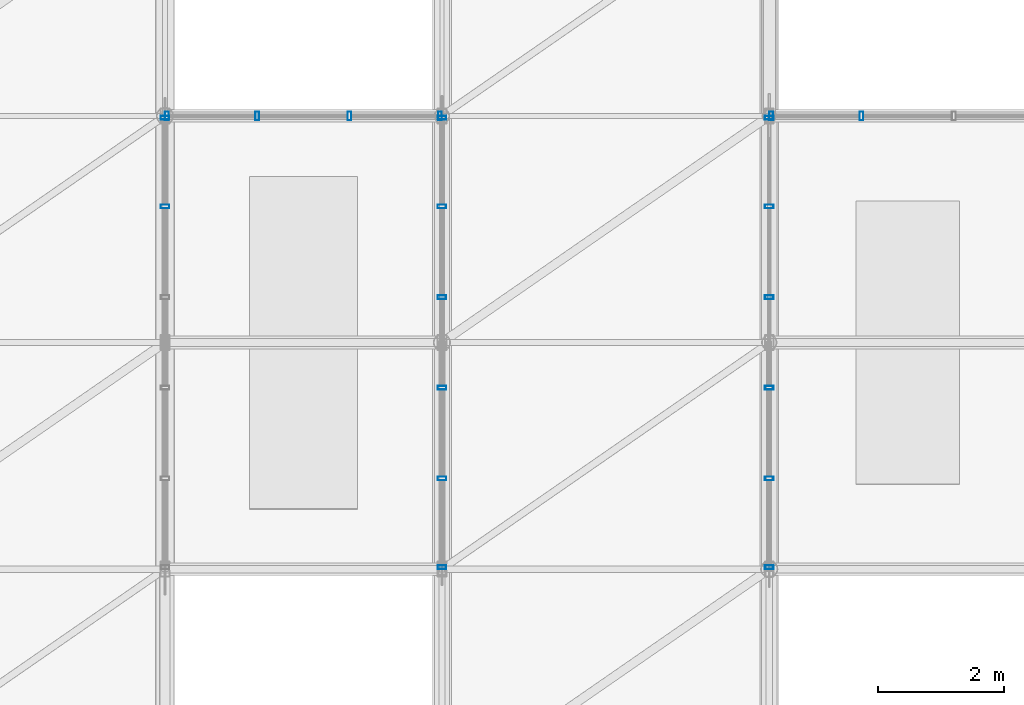
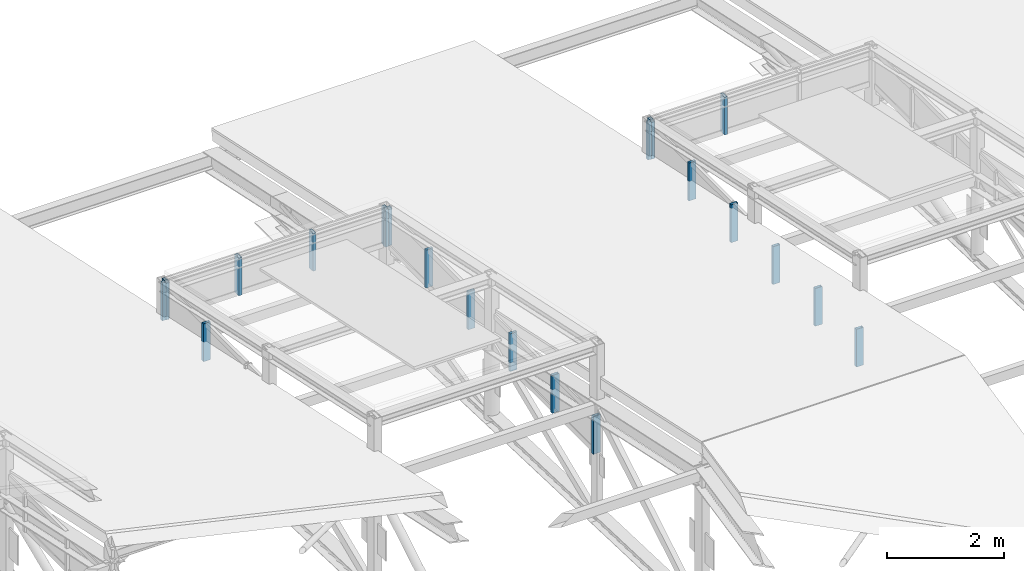
# One storey, part 74 of 124: 20 members, 5 elements without a shape of their own.
"""IFC4 building model written with IfcOpenShell, lengths in metres."""

import ifcopenshell
import ifcopenshell.guid

model = None  # the IFC model being written
_history = None  # IfcOwnerHistory: only IFC2X3 demands one
_inside = {}  # id of a spatial element -> (the spatial element, [elements in it])
_under = {}  # id of a project, library or spatial element -> (it, [spatial elements below it])
_declared = {}  # id of a project -> (the project, [libraries it declares])
_typed = {}  # id of a type object -> (the type object, [elements of that type])
_made_of = {}  # id of a material, layer set ... -> (it, [elements and type objects made of it])


def new_model(schema):
    """Start an empty IFC model of exactly this schema.

    Asked for "IFC4X3", IfcOpenShell would pick the latest addendum, in which some entities
    have other attributes; the version numbers below select the first issue.
    IFC2X3 requires an IfcOwnerHistory on every rooted entity: one is made here for all.
    """
    global model, _history
    if schema == "IFC4X3":
        model = ifcopenshell.file(schema_version=(4, 3, 0, 0))
    else:
        model = ifcopenshell.file(schema=schema)
    _inside.clear()
    _under.clear()
    _declared.clear()
    _typed.clear()
    _made_of.clear()
    _history = None
    if model.schema == "IFC2X3":
        org = make("IfcOrganization", Name="unknown")
        user = make(
            "IfcPersonAndOrganization",
            ThePerson=make("IfcPerson", FamilyName="unknown"),
            TheOrganization=org,
        )
        app = make(
            "IfcApplication",
            ApplicationDeveloper=org,
            Version="unknown",
            ApplicationFullName="unknown",
            ApplicationIdentifier="unknown",
        )
        _history = make(
            "IfcOwnerHistory",
            OwningUser=user,
            OwningApplication=app,
            ChangeAction="ADDED",
            CreationDate=0,
        )
    return model


def make(cls, **values):
    """One entity of the class cls with the attributes given. An attribute that is None is left unset."""
    return model.create_entity(
        cls, **{name: value for name, value in values.items() if value is not None}
    )


def rooted(cls, **values):
    """An entity with a GlobalId (a new one), such as an element, a storey or a relation."""
    return make(cls, GlobalId=ifcopenshell.guid.new(), OwnerHistory=_history, **values)


def si_unit(unit_type, name, prefix=None):
    """IfcSIUnit, for example si_unit("LENGTHUNIT", "METRE", prefix="MILLI")."""
    return make("IfcSIUnit", UnitType=unit_type, Prefix=prefix, Name=name)


def assignment(units):
    """IfcUnitAssignment: the units of a project."""
    return None if units is None else make("IfcUnitAssignment", Units=units)


def point(xyz):
    """IfcCartesianPoint."""
    return None if xyz is None else make("IfcCartesianPoint", Coordinates=xyz)


def direction(xyz):
    """IfcDirection."""
    return None if xyz is None else make("IfcDirection", DirectionRatios=xyz)


def frame(location, z_axis=None, x_axis=None):
    """IfcAxis2Placement3D, a coordinate frame: its origin and axes. An axis left out is left unset."""
    return make(
        "IfcAxis2Placement3D",
        Location=point(location),
        Axis=direction(z_axis),
        RefDirection=direction(x_axis),
    )


def frame_2d(location, x_axis=None):
    """IfcAxis2Placement2D, a coordinate frame in the plane: its origin and x axis."""
    return make(
        "IfcAxis2Placement2D", Location=point(location), RefDirection=direction(x_axis)
    )


def origin():
    """The frame at (0, 0, 0) with its axes left unset."""
    return frame((0.0, 0.0, 0.0))


def origin_2d():
    """The frame at (0, 0) in the plane with its x axis left unset."""
    return frame_2d((0.0, 0.0))


def place(relative_to, where):
    """IfcLocalPlacement: puts the frame where relative to a parent placement (None: the world)."""
    return make(
        "IfcLocalPlacement", PlacementRelTo=relative_to, RelativePlacement=where
    )


def context(
    kind, dimensions, precision=None, world=None, true_north=None, identifier=None
):
    """IfcGeometricRepresentationContext, for example the 3D "Model" context."""
    return make(
        "IfcGeometricRepresentationContext",
        ContextIdentifier=identifier,
        ContextType=kind,
        CoordinateSpaceDimension=dimensions,
        Precision=precision,
        WorldCoordinateSystem=world,
        TrueNorth=true_north,
    )


def subcontext(parent, identifier, kind, view, scale=None):
    """IfcGeometricRepresentationSubContext, for example "Body" below "Model"."""
    return make(
        "IfcGeometricRepresentationSubContext",
        ContextIdentifier=identifier,
        ContextType=kind,
        ParentContext=parent,
        TargetScale=scale,
        TargetView=view,
    )


def project(units=None, contexts=None):
    """IfcProject with its units and contexts."""
    return rooted(
        "IfcProject",
        Name="project",
        RepresentationContexts=contexts,
        UnitsInContext=assignment(units),
    )


def spatial(cls, under=None, at=None, **own):
    """A site, building, storey or space (cls), placed at a placement, below another one or the project."""
    s = rooted(cls, ObjectPlacement=at, **own)
    if under is not None:
        _under.setdefault(under.id(), (under, []))[1].append(s)
    return s


def profile(cls, at=None, kind="AREA", **sizes):
    """A parametric profile (cls). Its sizes go by their IFC names, for example OverallWidth=200.0."""
    return make(cls, ProfileType=kind, Position=at, **sizes)


def hollow_rectangle(**sizes):
    """IfcRectangleHollowProfileDef."""
    return profile("IfcRectangleHollowProfileDef", **sizes)


def extrude(swept, where, along, depth):
    """IfcExtrudedAreaSolid: the profile swept, set in the frame where, extruded along a direction by depth."""
    return make(
        "IfcExtrudedAreaSolid",
        SweptArea=swept,
        Position=where,
        ExtrudedDirection=direction(along),
        Depth=depth,
    )


def shape(context_of_items, identifier, shape_type, items):
    """IfcShapeRepresentation: the items that make up one representation, for example the "Body"."""
    return make(
        "IfcShapeRepresentation",
        ContextOfItems=context_of_items,
        RepresentationIdentifier=identifier,
        RepresentationType=shape_type,
        Items=items,
    )


def material(Name=None, Category=None):
    """IfcMaterial."""
    return make("IfcMaterial", Name=Name, Category=Category)


def layer(
    of_material, thickness, ventilated=None, Name=None, Category=None, Priority=None
):
    """IfcMaterialLayer: one layer of a wall or slab, of a material (None: an air gap)."""
    return make(
        "IfcMaterialLayer",
        Material=of_material,
        LayerThickness=thickness,
        IsVentilated=ventilated,
        Name=Name,
        Category=Category,
        Priority=Priority,
    )


def layer_set(layers, Name=None):
    """IfcMaterialLayerSet."""
    return make("IfcMaterialLayerSet", MaterialLayers=layers, LayerSetName=Name)


def material_profile(
    of_material, cross_section, Name=None, Category=None, Priority=None
):
    """IfcMaterialProfile: a cross section and its material."""
    return make(
        "IfcMaterialProfile",
        Name=Name,
        Material=of_material,
        Profile=cross_section,
        Priority=Priority,
        Category=Category,
    )


def profile_set(profiles, Name=None, composite=None):
    """IfcMaterialProfileSet."""
    return make(
        "IfcMaterialProfileSet",
        Name=Name,
        MaterialProfiles=profiles,
        CompositeProfile=composite,
    )


def made_of(thing, what):
    """Note that an element or type object is made of a material, layer set ...; save() writes the relation."""
    if what is not None:
        _made_of.setdefault(what.id(), (what, []))[1].append(thing)
    return thing


def type_object(cls, material=None, **own):
    """A type object (cls), such as IfcWallType, which elements share."""
    return made_of(rooted(cls, **own), material)


def element(
    cls,
    number,
    at=None,
    inside=None,
    cuts=None,
    type_object=None,
    material=None,
    context=None,
    identifier="Body",
    shape_type=None,
    held_by="IfcProductDefinitionShape",
    body=None,
    shapes=None,
    **own,
):
    """One element of the class cls, such as IfcWall. Its Tag is "e" and its number.

    at: its placement. inside: the storey or other place that contains it. cuts: it is an
    opening in that element (IfcRelVoidsElement). A single representation is given by context,
    identifier, shape_type and body (its items); several are given by shapes. held_by: the class
    of the entity that holds the representations. save() writes the other relations.
    """
    e = rooted(cls, Tag="e%d" % number, ObjectPlacement=at, **own)
    if body is not None:
        shapes = [shape(context, identifier, shape_type, body)]
    if shapes is not None:
        e.Representation = make(held_by, Representations=shapes)
    if inside is not None:
        _inside.setdefault(inside.id(), (inside, []))[1].append(e)
    if cuts is not None:
        rooted(
            "IfcRelVoidsElement", RelatingBuildingElement=cuts, RelatedOpeningElement=e
        )
    if type_object is not None:
        _typed.setdefault(type_object.id(), (type_object, []))[1].append(e)
    return made_of(e, material)


def aggregate(whole, parts):
    """IfcRelAggregates: a whole, such as a stair, and the parts it consists of."""
    return rooted("IfcRelAggregates", RelatingObject=whole, RelatedObjects=parts)


def save(model, path):
    """Write the relations noted so far, then the file.

    IfcRelAggregates (storeys below a building ...), IfcRelContainedInSpatialStructure (elements
    in a storey), IfcRelDefinesByType, IfcRelAssociatesMaterial and IfcRelDeclares: one each for
    every whole, place, type object, material and project.
    """
    for whole, parts in _under.values():
        aggregate(whole, parts)
    for where, things in _inside.values():
        rooted(
            "IfcRelContainedInSpatialStructure",
            RelatedElements=things,
            RelatingStructure=where,
        )
    for kind, things in _typed.values():
        rooted("IfcRelDefinesByType", RelatedObjects=things, RelatingType=kind)
    for what, things in _made_of.values():
        rooted("IfcRelAssociatesMaterial", RelatedObjects=things, RelatingMaterial=what)
    for by, libraries in _declared.values():
        rooted("IfcRelDeclares", RelatingContext=by, RelatedDefinitions=libraries)
    model.write(path)


model = new_model("IFC4")

# Units and contexts
model_context = context("Model", 3, precision=1e-05, world=origin(), true_north=direction((0.0, 1.0)))
body_context = subcontext(model_context, "Body", "Model", "MODEL_VIEW")
ifc_project = project(units=[si_unit("LENGTHUNIT", "METRE"), si_unit("AREAUNIT", "SQUARE_METRE"), si_unit("VOLUMEUNIT", "CUBIC_METRE"), si_unit("PLANEANGLEUNIT", "RADIAN"), si_unit("MASSUNIT", "GRAM", prefix="KILO"), si_unit("THERMODYNAMICTEMPERATUREUNIT", "KELVIN"), si_unit("POWERUNIT", "WATT")], contexts=[model_context])

# Site, building, storey
site_placement = place(None, origin())
site = spatial("IfcSite", under=ifc_project, at=site_placement, CompositionType="ELEMENT")
building_placement = place(site_placement, origin())
building = spatial("IfcBuilding", under=site, at=building_placement, Name="Tavuni Mirador Residences", CompositionType="ELEMENT")
storey_placement = place(building_placement, frame((0.0, 0.0, 7.64990234375)))
storey = spatial("IfcBuildingStorey", under=building, at=storey_placement, Name="L02", CompositionType="ELEMENT", Elevation=7.64990234375)

# Curtain wall, members
ifc_material = material(Name="Anodised aluminium", Category="aluminium")
ifc_layer = layer(ifc_material, 0.199951171875, Name="Anodised aluminium", Category="aluminium")
ifc_layer_set = layer_set([ifc_layer], Name="Anodised aluminium")
curtain_wall_type = type_object("IfcCurtainWallType", Name="CWT-HAL-01", PredefinedType="NOTDEFINED", material=ifc_layer_set)
curtain_wall_1_placement = place(storey_placement, origin())
curtain_wall_1 = element("IfcCurtainWall", 1, at=curtain_wall_1_placement, inside=storey, type_object=curtain_wall_type, Name="CW-HALL-MON-N2-W", PredefinedType="NOTDEFINED")
ifc_material_profile = material_profile(ifc_material, hollow_rectangle(XDim=0.06005859375, YDim=0.139892578125, WallThickness=0.00390625, at=origin_2d()), Name="ALU 60x140x4.0", Category="aluminium")
ifc_profile_set = profile_set([ifc_material_profile], Name="Anodised aluminium")
member_type = type_object("IfcMemberType", Name="CWM-140", PredefinedType="MULLION", material=ifc_profile_set)
member_1_placement = place(storey_placement, frame((54.39990234375, 95.760009765625, 1.175048828125), z_axis=(0.0, 0.0, 1.0), x_axis=(0.0, 1.0, 0.0)))
member_1 = element("IfcMember", 2, at=member_1_placement, type_object=member_type, Name="CW-06 mullion 5", PredefinedType="MULLION", context=body_context, shape_type="SweptSolid", body=[
    extrude(hollow_rectangle(XDim=0.06005859375, YDim=0.139892578125, WallThickness=0.00390625, at=origin_2d()), origin(), (0.0, 0.0, 1.0), 0.7900390625),
])
member_2_placement = place(storey_placement, frame((54.39990234375, 97.169921875, 1.175048828125), z_axis=(0.0, 0.0, 1.0), x_axis=(0.0, 1.0, 0.0)))
member_2 = element("IfcMember", 3, at=member_2_placement, type_object=member_type, Name="CW-06 mullion 6", PredefinedType="MULLION", context=body_context, shape_type="SweptSolid", body=[
    extrude(hollow_rectangle(XDim=0.06005859375, YDim=0.139892578125, WallThickness=0.00390625, at=origin_2d()), origin(), (0.0, 0.0, 1.0), 0.7900390625),
])
aggregate(curtain_wall_1, [member_1, member_2])

curtain_wall_2_placement = place(storey_placement, origin())
curtain_wall_2 = element("IfcCurtainWall", 4, at=curtain_wall_2_placement, inside=storey, type_object=curtain_wall_type, Name="CW-HALL-MON-N2-E", PredefinedType="NOTDEFINED")
member_3_placement = place(storey_placement, frame((58.800048828125, 90.030029296875, 1.175048828125), z_axis=(0.0, 0.0, 1.0), x_axis=(0.0, 1.0, 0.0)))
member_3 = element("IfcMember", 5, at=member_3_placement, type_object=member_type, Name="CW-06 mullion 1", PredefinedType="MULLION", context=body_context, shape_type="SweptSolid", body=[
    extrude(hollow_rectangle(XDim=0.06005859375, YDim=0.139892578125, WallThickness=0.00390625, at=origin_2d()), origin(), (0.0, 0.0, 1.0), 0.7900390625),
])
member_4_placement = place(storey_placement, frame((58.800048828125, 91.43994140625, 1.175048828125), z_axis=(0.0, 0.0, 1.0), x_axis=(0.0, 1.0, 0.0)))
member_4 = element("IfcMember", 6, at=member_4_placement, type_object=member_type, Name="CW-06 mullion 2", PredefinedType="MULLION", context=body_context, shape_type="SweptSolid", body=[
    extrude(hollow_rectangle(XDim=0.06005859375, YDim=0.139892578125, WallThickness=0.00390625, at=origin_2d()), origin(), (0.0, 0.0, 1.0), 0.7900390625),
])
member_5_placement = place(storey_placement, frame((58.800048828125, 92.8798828125, 1.175048828125), z_axis=(0.0, 0.0, 1.0), x_axis=(0.0, 1.0, 0.0)))
member_5 = element("IfcMember", 7, at=member_5_placement, type_object=member_type, Name="CW-06 mullion 3", PredefinedType="MULLION", context=body_context, shape_type="SweptSolid", body=[
    extrude(hollow_rectangle(XDim=0.06005859375, YDim=0.139892578125, WallThickness=0.00390625, at=origin_2d()), origin(), (0.0, 0.0, 1.0), 0.7900390625),
])
member_6_placement = place(storey_placement, frame((58.800048828125, 94.320068359375, 1.175048828125), z_axis=(0.0, 0.0, 1.0), x_axis=(0.0, 1.0, 0.0)))
member_6 = element("IfcMember", 8, at=member_6_placement, type_object=member_type, Name="CW-06 mullion 4", PredefinedType="MULLION", context=body_context, shape_type="SweptSolid", body=[
    extrude(hollow_rectangle(XDim=0.06005859375, YDim=0.139892578125, WallThickness=0.00390625, at=origin_2d()), origin(), (0.0, 0.0, 1.0), 0.7900390625),
])
member_7_placement = place(storey_placement, frame((58.800048828125, 95.760009765625, 1.175048828125), z_axis=(0.0, 0.0, 1.0), x_axis=(0.0, 1.0, 0.0)))
member_7 = element("IfcMember", 9, at=member_7_placement, type_object=member_type, Name="CW-06 mullion 5", PredefinedType="MULLION", context=body_context, shape_type="SweptSolid", body=[
    extrude(hollow_rectangle(XDim=0.06005859375, YDim=0.139892578125, WallThickness=0.00390625, at=origin_2d()), origin(), (0.0, 0.0, 1.0), 0.7900390625),
])
member_8_placement = place(storey_placement, frame((58.800048828125, 97.169921875, 1.175048828125), z_axis=(0.0, 0.0, 1.0), x_axis=(0.0, 1.0, 0.0)))
member_8 = element("IfcMember", 10, at=member_8_placement, type_object=member_type, Name="CW-06 mullion 6", PredefinedType="MULLION", context=body_context, shape_type="SweptSolid", body=[
    extrude(hollow_rectangle(XDim=0.06005859375, YDim=0.139892578125, WallThickness=0.00390625, at=origin_2d()), origin(), (0.0, 0.0, 1.0), 0.7900390625),
])
aggregate(curtain_wall_2, [member_3, member_4, member_5, member_6, member_7, member_8])

curtain_wall_3_placement = place(storey_placement, origin())
curtain_wall_3 = element("IfcCurtainWall", 11, at=curtain_wall_3_placement, inside=storey, type_object=curtain_wall_type, Name="CW-HALL-MON-N2-END", PredefinedType="NOTDEFINED")
member_9_placement = place(storey_placement, frame((54.429931640625, 97.199951171875, 1.175048828125), z_axis=(0.0, 0.0, 1.0), x_axis=(1.0, 0.0, 0.0)))
member_9 = element("IfcMember", 12, at=member_9_placement, type_object=member_type, Name="CW-06 mullion 1", PredefinedType="MULLION", context=body_context, shape_type="SweptSolid", body=[
    extrude(hollow_rectangle(XDim=0.06005859375, YDim=0.139892578125, WallThickness=0.00390625, at=origin_2d()), origin(), (0.0, 0.0, 1.0), 0.7900390625),
])
member_10_placement = place(storey_placement, frame((55.86669921875, 97.199951171875, 1.175048828125), z_axis=(0.0, 0.0, 1.0), x_axis=(1.0, 0.0, 0.0)))
member_10 = element("IfcMember", 13, at=member_10_placement, type_object=member_type, Name="CW-06 mullion 2", PredefinedType="MULLION", context=body_context, shape_type="SweptSolid", body=[
    extrude(hollow_rectangle(XDim=0.06005859375, YDim=0.139892578125, WallThickness=0.00390625, at=origin_2d()), origin(), (0.0, 0.0, 1.0), 0.7900390625),
])
member_11_placement = place(storey_placement, frame((57.333251953125, 97.199951171875, 1.175048828125), z_axis=(0.0, 0.0, 1.0), x_axis=(1.0, 0.0, 0.0)))
member_11 = element("IfcMember", 14, at=member_11_placement, type_object=member_type, Name="CW-06 mullion 3", PredefinedType="MULLION", context=body_context, shape_type="SweptSolid", body=[
    extrude(hollow_rectangle(XDim=0.06005859375, YDim=0.139892578125, WallThickness=0.00390625, at=origin_2d()), origin(), (0.0, 0.0, 1.0), 0.7900390625),
])
member_12_placement = place(storey_placement, frame((58.77001953125, 97.199951171875, 1.175048828125), z_axis=(0.0, 0.0, 1.0), x_axis=(1.0, 0.0, 0.0)))
member_12 = element("IfcMember", 15, at=member_12_placement, type_object=member_type, Name="CW-06 mullion 4", PredefinedType="MULLION", context=body_context, shape_type="SweptSolid", body=[
    extrude(hollow_rectangle(XDim=0.06005859375, YDim=0.139892578125, WallThickness=0.00390625, at=origin_2d()), origin(), (0.0, 0.0, 1.0), 0.7900390625),
])
aggregate(curtain_wall_3, [member_9, member_10, member_11, member_12])

curtain_wall_4_placement = place(storey_placement, origin())
curtain_wall_4 = element("IfcCurtainWall", 16, at=curtain_wall_4_placement, inside=storey, type_object=curtain_wall_type, Name="CW-HALL-MON-N3-W", PredefinedType="NOTDEFINED")
member_13_placement = place(storey_placement, frame((64.0, 90.030029296875, 1.175048828125), z_axis=(0.0, 0.0, 1.0), x_axis=(0.0, 1.0, 0.0)))
member_13 = element("IfcMember", 17, at=member_13_placement, type_object=member_type, Name="CW-06 mullion 1", PredefinedType="MULLION", context=body_context, shape_type="SweptSolid", body=[
    extrude(hollow_rectangle(XDim=0.06005859375, YDim=0.139892578125, WallThickness=0.00390625, at=origin_2d()), origin(), (0.0, 0.0, 1.0), 0.7900390625),
])
member_14_placement = place(storey_placement, frame((64.0, 91.43994140625, 1.175048828125), z_axis=(0.0, 0.0, 1.0), x_axis=(0.0, 1.0, 0.0)))
member_14 = element("IfcMember", 18, at=member_14_placement, type_object=member_type, Name="CW-06 mullion 2", PredefinedType="MULLION", context=body_context, shape_type="SweptSolid", body=[
    extrude(hollow_rectangle(XDim=0.06005859375, YDim=0.139892578125, WallThickness=0.00390625, at=origin_2d()), origin(), (0.0, 0.0, 1.0), 0.7900390625),
])
member_15_placement = place(storey_placement, frame((64.0, 92.8798828125, 1.175048828125), z_axis=(0.0, 0.0, 1.0), x_axis=(0.0, 1.0, 0.0)))
member_15 = element("IfcMember", 19, at=member_15_placement, type_object=member_type, Name="CW-06 mullion 3", PredefinedType="MULLION", context=body_context, shape_type="SweptSolid", body=[
    extrude(hollow_rectangle(XDim=0.06005859375, YDim=0.139892578125, WallThickness=0.00390625, at=origin_2d()), origin(), (0.0, 0.0, 1.0), 0.7900390625),
])
member_16_placement = place(storey_placement, frame((64.0, 94.320068359375, 1.175048828125), z_axis=(0.0, 0.0, 1.0), x_axis=(0.0, 1.0, 0.0)))
member_16 = element("IfcMember", 20, at=member_16_placement, type_object=member_type, Name="CW-06 mullion 4", PredefinedType="MULLION", context=body_context, shape_type="SweptSolid", body=[
    extrude(hollow_rectangle(XDim=0.06005859375, YDim=0.139892578125, WallThickness=0.00390625, at=origin_2d()), origin(), (0.0, 0.0, 1.0), 0.7900390625),
])
member_17_placement = place(storey_placement, frame((64.0, 95.760009765625, 1.175048828125), z_axis=(0.0, 0.0, 1.0), x_axis=(0.0, 1.0, 0.0)))
member_17 = element("IfcMember", 21, at=member_17_placement, type_object=member_type, Name="CW-06 mullion 5", PredefinedType="MULLION", context=body_context, shape_type="SweptSolid", body=[
    extrude(hollow_rectangle(XDim=0.06005859375, YDim=0.139892578125, WallThickness=0.00390625, at=origin_2d()), origin(), (0.0, 0.0, 1.0), 0.7900390625),
])
member_18_placement = place(storey_placement, frame((64.0, 97.169921875, 1.175048828125), z_axis=(0.0, 0.0, 1.0), x_axis=(0.0, 1.0, 0.0)))
member_18 = element("IfcMember", 22, at=member_18_placement, type_object=member_type, Name="CW-06 mullion 6", PredefinedType="MULLION", context=body_context, shape_type="SweptSolid", body=[
    extrude(hollow_rectangle(XDim=0.06005859375, YDim=0.139892578125, WallThickness=0.00390625, at=origin_2d()), origin(), (0.0, 0.0, 1.0), 0.7900390625),
])
aggregate(curtain_wall_4, [member_13, member_14, member_15, member_16, member_17, member_18])

curtain_wall_5_placement = place(storey_placement, origin())
curtain_wall_5 = element("IfcCurtainWall", 23, at=curtain_wall_5_placement, inside=storey, type_object=curtain_wall_type, Name="CW-HALL-MON-N3-END", PredefinedType="NOTDEFINED")
member_19_placement = place(storey_placement, frame((64.030029296875, 97.199951171875, 1.175048828125), z_axis=(0.0, 0.0, 1.0), x_axis=(1.0, 0.0, 0.0)))
member_19 = element("IfcMember", 24, at=member_19_placement, type_object=member_type, Name="CW-06 mullion 1", PredefinedType="MULLION", context=body_context, shape_type="SweptSolid", body=[
    extrude(hollow_rectangle(XDim=0.06005859375, YDim=0.139892578125, WallThickness=0.00390625, at=origin_2d()), origin(), (0.0, 0.0, 1.0), 0.7900390625),
])
member_20_placement = place(storey_placement, frame((65.466552734375, 97.199951171875, 1.175048828125), z_axis=(0.0, 0.0, 1.0), x_axis=(1.0, 0.0, 0.0)))
member_20 = element("IfcMember", 25, at=member_20_placement, type_object=member_type, Name="CW-06 mullion 2", PredefinedType="MULLION", context=body_context, shape_type="SweptSolid", body=[
    extrude(hollow_rectangle(XDim=0.06005859375, YDim=0.139892578125, WallThickness=0.00390625, at=origin_2d()), origin(), (0.0, 0.0, 1.0), 0.7900390625),
])
aggregate(curtain_wall_5, [member_19, member_20])

save(model, "model.ifc")
